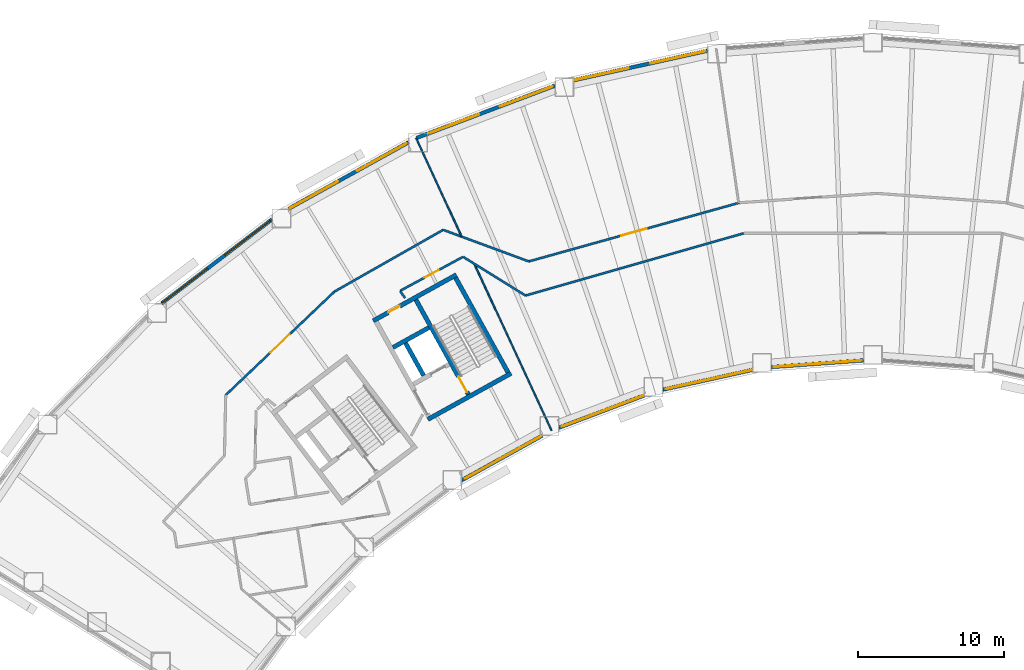
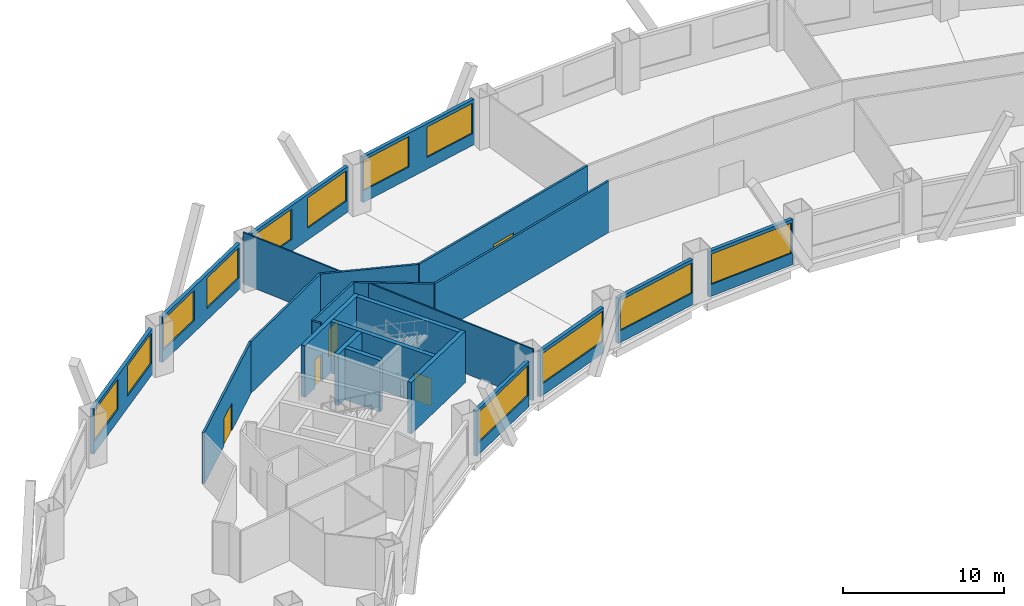
# One storey, part 4 of 11: 24 walls, 12 windows, 5 doors, 17 openings.
"""IFC4 building model written with IfcOpenShell, lengths in metres."""

from ifc_helpers import new_model, si_unit, direction, frame, frame_2d, origin, place, context, subcontext, project, spatial, rectangle, extrude, material, layer, layer_set, type_object, element, fill, save


model = new_model("IFC4")

# Units and contexts
model_context = context("Model", 3, precision=1e-05, world=origin(), true_north=direction((0.0, 1.0)))
body_context = subcontext(model_context, "Body", "Model", "MODEL_VIEW")
ifc_project = project(units=[si_unit("LENGTHUNIT", "METRE"), si_unit("AREAUNIT", "SQUARE_METRE"), si_unit("VOLUMEUNIT", "CUBIC_METRE"), si_unit("PLANEANGLEUNIT", "RADIAN"), si_unit("MASSUNIT", "GRAM", prefix="KILO")], contexts=[model_context])

# Site, building, storey
site_placement = place(None, origin())
site = spatial("IfcSite", under=ifc_project, at=site_placement, CompositionType="ELEMENT")
building_placement = place(site_placement, origin())
building = spatial("IfcBuilding", under=site, at=building_placement, Name="Tuul Gate Civic Tower", CompositionType="ELEMENT")
storey_placement = place(building_placement, frame((0.0, 0.0, 48.300048828125)))
storey = spatial("IfcBuildingStorey", under=building, at=storey_placement, Name="Level 10", CompositionType="ELEMENT", Elevation=48.300048828125)

# Walls
ifc_material_1 = material(Name="Concrete C50/60", Category="concrete")
ifc_layer_1 = layer(ifc_material_1, 0.300048828125)
ifc_layer_set_1 = layer_set([ifc_layer_1], Name="Concrete C50/60")
wall_type_1 = type_object("IfcWallType", Name="Core wall C50/60", PredefinedType="SHEAR", material=ifc_layer_set_1)
wall_1_placement = place(storey_placement, frame((-24.711669921875, -8.7158203125, 0.0), z_axis=(0.0, 0.0, 1.0), x_axis=(-0.874629909008, -0.484791215132, 0.0)))
element("IfcWall", 1, at=wall_1_placement, inside=storey, type_object=wall_type_1, Name="Core wall", PredefinedType="SHEAR", context=body_context, shape_type="SweptSolid", body=[
    extrude(rectangle(XDim=6.5, YDim=0.300048828125, at=frame_2d((3.25, 0.0))), origin(), (0.0, 0.0, 1.0), 3.89990234375),
])
wall_2_placement = place(storey_placement, frame((-30.327392578125, -5.59716796875, 0.0), z_axis=(0.0, 0.0, 1.0), x_axis=(-0.874629840737, -0.484791338301, 0.0)))
element("IfcWall", 2, at=wall_2_placement, inside=storey, type_object=wall_type_1, Name="Core wall", PredefinedType="SHEAR", context=body_context, shape_type="SweptSolid", body=[
    extrude(rectangle(XDim=2.800048828125, YDim=0.300048828125, at=frame_2d((1.39990234375, 0.0))), origin(), (0.0, 0.0, 1.0), 3.89990234375),
])

# Wall, opening, door
wall_3_placement = place(storey_placement, frame((-28.4443359375, -1.98095703125, 0.0), z_axis=(0.0, 0.0, 1.0), x_axis=(-0.874629909008, -0.484791215132, 0.0)))
wall_3 = element("IfcWall", 3, at=wall_3_placement, inside=storey, type_object=wall_type_1, Name="Core wall", PredefinedType="SHEAR", context=body_context, shape_type="SweptSolid", body=[
    extrude(rectangle(XDim=6.5, YDim=0.300048828125, at=frame_2d((3.25, 0.0))), origin(), (0.0, 0.0, 1.0), 3.89990234375),
])
opening_1_placement = place(wall_3_placement, frame((4.425048828125, 0.0, 0.0)))
opening_1 = element("IfcOpeningElement", 4, at=opening_1_placement, cuts=wall_3, Name="Opening B-D18", PredefinedType="OPENING", context=body_context, shape_type="SweptSolid", body=[
    extrude(rectangle(XDim=0.89990234375, YDim=2.10009765625, at=frame_2d((0.449951171875, 1.050048828125))), frame((0.0, 0.16015625, 0.0), z_axis=(0.0, -1.0, 0.0), x_axis=(1.0, 0.0, 0.0)), (0.0, 0.0, 1.0), 0.320068359375),
])
ifc_material_2 = material(Name="Timber door leaf", Category="wood")
door_type_1 = type_object("IfcDoorType", Name="Door D09", OperationType="NOTDEFINED", PredefinedType="DOOR", material=ifc_material_2)
door_1_placement = place(opening_1_placement, origin())
door_1 = element("IfcDoor", 5, at=door_1_placement, inside=storey, type_object=door_type_1, Name="Door B-D18", OperationType="SINGLE_SWING_LEFT", OverallHeight=2.10009765625, OverallWidth=0.89990234375, PredefinedType="DOOR", context=body_context, shape_type="SweptSolid", body=[
    extrude(rectangle(XDim=0.89990234375, YDim=2.10009765625, at=frame_2d((0.449951171875, 1.050048828125))), frame((0.0, 0.02490234375, 0.0), z_axis=(0.0, -1.0, 0.0), x_axis=(1.0, 0.0, 0.0)), (0.0, 0.0, 1.0), 0.050048828125),
])
fill(opening_1, door_1)

# Wall
wall_4_placement = place(storey_placement, frame((-24.91552734375, -8.6572265625, 0.0), z_axis=(0.0, 0.0, 1.0), x_axis=(-0.484777133038, 0.874637714304, 0.0)))
element("IfcWall", 6, at=wall_4_placement, inside=storey, type_object=wall_type_1, Name="Core wall", PredefinedType="SHEAR", context=body_context, shape_type="SweptSolid", body=[
    extrude(rectangle(XDim=7.400146484375, YDim=0.300048828125, at=frame_2d((3.7001953125, 0.0))), origin(), (0.0, 0.0, 1.0), 3.89990234375),
])

# Wall, opening, door
wall_5_placement = place(storey_placement, frame((-27.626953125, -10.16015625, 0.0), z_axis=(0.0, 0.0, 1.0), x_axis=(-0.484751894226, 0.874651702704, 0.0)))
wall_5 = element("IfcWall", 7, at=wall_5_placement, inside=storey, type_object=wall_type_1, Name="Core wall", PredefinedType="SHEAR", context=body_context, shape_type="SweptSolid", body=[
    extrude(rectangle(XDim=7.39990234375, YDim=0.300048828125, at=frame_2d((3.699951171875, 0.0))), origin(), (0.0, 0.0, 1.0), 3.89990234375),
])
opening_2_placement = place(wall_5_placement, frame((0.199951171875, 0.0, 0.0)))
opening_2 = element("IfcOpeningElement", 8, at=opening_2_placement, cuts=wall_5, Name="Opening SD-ST-2", PredefinedType="OPENING", context=body_context, shape_type="SweptSolid", body=[
    extrude(rectangle(XDim=1.199951171875, YDim=2.10009765625, at=frame_2d((0.60009765625, 1.050048828125))), frame((0.0, 0.16015625, 0.0), z_axis=(0.0, -1.0, 0.0), x_axis=(1.0, 0.0, 0.0)), (0.0, 0.0, 1.0), 0.320068359375),
])
ifc_material_3 = material(Name="Steel", Category="steel")
door_type_2 = type_object("IfcDoorType", Name="Stair door", OperationType="NOTDEFINED", PredefinedType="DOOR", material=ifc_material_3)
door_2_placement = place(opening_2_placement, origin())
door_2 = element("IfcDoor", 9, at=door_2_placement, inside=storey, type_object=door_type_2, Name="Stair door ST-2", OperationType="SINGLE_SWING_LEFT", OverallHeight=2.10009765625, OverallWidth=1.199951171875, PredefinedType="DOOR", context=body_context, shape_type="SweptSolid", body=[
    extrude(rectangle(XDim=1.199951171875, YDim=2.10009765625, at=frame_2d((0.60009765625, 1.050048828125))), frame((0.0, 0.02490234375, 0.0), z_axis=(0.0, -1.0, 0.0), x_axis=(1.0, 0.0, 0.0)), (0.0, 0.0, 1.0), 0.050048828125),
])
fill(opening_2, door_2)

# Wall
wall_6_placement = place(storey_placement, frame((-30.680419921875, -8.8798828125, 0.0), z_axis=(0.0, 0.0, 1.0), x_axis=(-0.484724115216, 0.874667097888, 0.0)))
element("IfcWall", 10, at=wall_6_placement, inside=storey, type_object=wall_type_1, Name="Core wall", PredefinedType="SHEAR", context=body_context, shape_type="SweptSolid", body=[
    extrude(rectangle(XDim=2.550048828125, YDim=0.300048828125, at=frame_2d((1.27490234375, 0.0))), origin(), (0.0, 0.0, 1.0), 3.89990234375),
])

# Wall, opening, door
ifc_material_4 = material(Name="Gypsum board partition")
ifc_layer_2 = layer(ifc_material_4, 0.14990234375)
ifc_layer_set_2 = layer_set([ifc_layer_2], Name="Gypsum board partition")
wall_type_2 = type_object("IfcWallType", Name="Corridor wall P150", PredefinedType="PARTITIONING", material=ifc_layer_set_2)
wall_7_placement = place(storey_placement, frame((-23.492431640625, -1.0703125, 0.0), z_axis=(0.0, 0.0, 1.0), x_axis=(0.963275368235, 0.268515483636, 0.0)))
wall_7 = element("IfcWall", 11, at=wall_7_placement, inside=storey, type_object=wall_type_2, Name="p028", PredefinedType="PARTITIONING", context=body_context, shape_type="SweptSolid", body=[
    extrude(rectangle(XDim=14.92138671875, YDim=0.14990234375, at=frame_2d((7.460693359375, 0.0))), origin(), (0.0, 0.0, 1.0), 3.89990234375),
])
opening_3_placement = place(wall_7_placement, frame((6.53759765625, 0.0, 0.0)))
opening_3 = element("IfcOpeningElement", 12, at=opening_3_placement, cuts=wall_7, Name="Opening B-D05", PredefinedType="OPENING", context=body_context, shape_type="SweptSolid", body=[
    extrude(rectangle(XDim=1.800048828125, YDim=2.10009765625, at=frame_2d((0.89990234375, 1.050048828125))), frame((0.0, 0.0849609375, 0.0), z_axis=(0.0, -1.0, 0.0), x_axis=(1.0, 0.0, 0.0)), (0.0, 0.0, 1.0), 0.169921875),
])
ifc_material_5 = material(Name="Timber door leaf, double", Category="wood")
door_type_3 = type_object("IfcDoorType", Name="Door D18", OperationType="DOUBLE_DOOR_SINGLE_SWING", PredefinedType="DOOR", material=ifc_material_5)
door_3_placement = place(opening_3_placement, origin())
door_3 = element("IfcDoor", 13, at=door_3_placement, inside=storey, type_object=door_type_3, Name="Door B-D05", OperationType="DOUBLE_DOOR_SINGLE_SWING", OverallHeight=2.10009765625, OverallWidth=1.800048828125, PredefinedType="DOOR", context=body_context, shape_type="SweptSolid", body=[
    extrude(rectangle(XDim=1.800048828125, YDim=2.10009765625, at=frame_2d((0.89990234375, 1.050048828125))), frame((0.0, 0.02490234375, 0.0), z_axis=(0.0, -1.0, 0.0), x_axis=(1.0, 0.0, 0.0)), (0.0, 0.0, 1.0), 0.050048828125),
])
fill(opening_3, door_3)

# Walls
wall_8_placement = place(storey_placement, frame((-29.3486328125, 1.084228515625, 0.0), z_axis=(0.0, 0.0, 1.0), x_axis=(0.938272147165, -0.345897929822, 0.0)))
element("IfcWall", 14, at=wall_8_placement, inside=storey, type_object=wall_type_2, Name="p031", PredefinedType="PARTITIONING", context=body_context, shape_type="SweptSolid", body=[
    extrude(rectangle(XDim=6.2275390625, YDim=0.14990234375, at=frame_2d((3.11376953125, 0.0))), origin(), (0.0, 0.0, 1.0), 3.89990234375),
])
wall_9_placement = place(storey_placement, frame((-36.777587890625, -3.133544921875, 0.0), z_axis=(0.0, 0.0, 1.0), x_axis=(0.869618597413, 0.493724108216, 0.0)))
element("IfcWall", 15, at=wall_9_placement, inside=storey, type_object=wall_type_2, Name="p036", PredefinedType="PARTITIONING", context=body_context, shape_type="SweptSolid", body=[
    extrude(rectangle(XDim=8.542724609375, YDim=0.14990234375, at=frame_2d((4.271484375, 0.0))), origin(), (0.0, 0.0, 1.0), 3.89990234375),
])

# Wall, opening, door
wall_10_placement = place(storey_placement, frame((-44.205810546875, -10.203857421875, 0.0), z_axis=(0.0, 0.0, 1.0), x_axis=(0.724341713939, 0.689441137043, 0.0)))
wall_10 = element("IfcWall", 16, at=wall_10_placement, inside=storey, type_object=wall_type_2, Name="p037", PredefinedType="PARTITIONING", context=body_context, shape_type="SweptSolid", body=[
    extrude(rectangle(XDim=10.255126953125, YDim=0.14990234375, at=frame_2d((5.12744140625, 0.0))), origin(), (0.0, 0.0, 1.0), 3.89990234375),
])
opening_4_placement = place(wall_10_placement, frame((4.2275390625, 0.0, 0.0)))
opening_4 = element("IfcOpeningElement", 17, at=opening_4_placement, cuts=wall_10, Name="Opening B-D06", PredefinedType="OPENING", context=body_context, shape_type="SweptSolid", body=[
    extrude(rectangle(XDim=1.800048828125, YDim=2.10009765625, at=frame_2d((0.89990234375, 1.050048828125))), frame((0.0, 0.0849609375, 0.0), z_axis=(0.0, -1.0, 0.0), x_axis=(1.0, 0.0, 0.0)), (0.0, 0.0, 1.0), 0.169921875),
])
door_4_placement = place(opening_4_placement, origin())
door_4 = element("IfcDoor", 18, at=door_4_placement, inside=storey, type_object=door_type_3, Name="Door B-D06", OperationType="DOUBLE_DOOR_SINGLE_SWING", OverallHeight=2.10009765625, OverallWidth=1.800048828125, PredefinedType="DOOR", context=body_context, shape_type="SweptSolid", body=[
    extrude(rectangle(XDim=1.800048828125, YDim=2.10009765625, at=frame_2d((0.89990234375, 1.050048828125))), frame((0.0, 0.02490234375, 0.0), z_axis=(0.0, -1.0, 0.0), x_axis=(1.0, 0.0, 0.0)), (0.0, 0.0, 1.0), 0.050048828125),
])
fill(opening_4, door_4)

# Walls
wall_11_placement = place(storey_placement, frame((-27.98046875, -0.762939453125, 0.0), z_axis=(0.0, 0.0, 1.0), x_axis=(0.849717007956, -0.527239041034, 0.0)))
element("IfcWall", 19, at=wall_11_placement, inside=storey, type_object=wall_type_2, Name="p045", PredefinedType="PARTITIONING", context=body_context, shape_type="SweptSolid", body=[
    extrude(rectangle(XDim=5.006591796875, YDim=0.14990234375, at=frame_2d((2.50341796875, 0.0))), origin(), (0.0, 0.0, 1.0), 3.89990234375),
])
wall_12_placement = place(storey_placement, frame((-23.72509765625, -3.40283203125, 0.0), z_axis=(0.0, 0.0, 1.0), x_axis=(0.961602366551, 0.274446513264, 0.0)))
element("IfcWall", 20, at=wall_12_placement, inside=storey, type_object=wall_type_2, Name="p046", PredefinedType="PARTITIONING", context=body_context, shape_type="SweptSolid", body=[
    extrude(rectangle(XDim=15.5, YDim=0.14990234375, at=frame_2d((7.75, 0.0))), origin(), (0.0, 0.0, 1.0), 3.89990234375),
])
wall_13_placement = place(storey_placement, frame((-32.288818359375, -3.107421875, 0.0), z_axis=(0.0, 0.0, 1.0), x_axis=(0.590436768377, -0.807083900563, 0.0)))
element("IfcWall", 21, at=wall_13_placement, inside=storey, type_object=wall_type_2, Name="p050", PredefinedType="PARTITIONING", context=body_context, shape_type="SweptSolid", body=[
    extrude(rectangle(XDim=0.58251953125, YDim=0.14990234375, at=frame_2d((0.291259765625, 0.0))), origin(), (0.0, 0.0, 1.0), 3.89990234375),
])

# Wall, opening, door
wall_14_placement = place(storey_placement, frame((-32.281982421875, -3.077392578125, 0.0), z_axis=(0.0, 0.0, 1.0), x_axis=(0.879607802106, 0.475699605291, 0.0)))
wall_14 = element("IfcWall", 22, at=wall_14_placement, inside=storey, type_object=wall_type_2, Name="p051", PredefinedType="PARTITIONING", context=body_context, shape_type="SweptSolid", body=[
    extrude(rectangle(XDim=4.866455078125, YDim=0.14990234375, at=frame_2d((2.43310546875, 0.0))), origin(), (0.0, 0.0, 1.0), 3.89990234375),
])
opening_5_placement = place(wall_14_placement, frame((1.88330078125, 0.0, 0.0)))
opening_5 = element("IfcOpeningElement", 23, at=opening_5_placement, cuts=wall_14, Name="Opening B-D10", PredefinedType="OPENING", context=body_context, shape_type="SweptSolid", body=[
    extrude(rectangle(XDim=1.10009765625, YDim=2.10009765625, at=frame_2d((0.550048828125, 1.050048828125))), frame((0.0, 0.0849609375, 0.0), z_axis=(0.0, -1.0, 0.0), x_axis=(1.0, 0.0, 0.0)), (0.0, 0.0, 1.0), 0.169921875),
])
ifc_material_6 = material(Name="Timber door leaf", Category="wood")
door_type_4 = type_object("IfcDoorType", Name="Door D11", OperationType="NOTDEFINED", PredefinedType="DOOR", material=ifc_material_6)
door_5_placement = place(opening_5_placement, origin())
door_5 = element("IfcDoor", 24, at=door_5_placement, inside=storey, type_object=door_type_4, Name="Door B-D10", OperationType="SINGLE_SWING_RIGHT", OverallHeight=2.10009765625, OverallWidth=1.10009765625, PredefinedType="DOOR", context=body_context, shape_type="SweptSolid", body=[
    extrude(rectangle(XDim=1.10009765625, YDim=2.10009765625, at=frame_2d((0.550048828125, 1.050048828125))), frame((0.0, 0.02490234375, 0.0), z_axis=(0.0, -1.0, 0.0), x_axis=(1.0, 0.0, 0.0)), (0.0, 0.0, 1.0), 0.050048828125),
])
fill(opening_5, door_5)

# Wall, openings, windows
ifc_material_7 = material(Name="Precast concrete C40/50", Category="concrete")
ifc_layer_3 = layer(ifc_material_7, 0.25)
ifc_layer_set_3 = layer_set([ifc_layer_3], Name="Precast concrete C40/50")
wall_type_3 = type_object("IfcWallType", Name="External wall", PredefinedType="STANDARD", material=ifc_layer_set_3)
wall_15_placement = place(storey_placement, frame((-11.299072265625, 13.317138671875, 0.0), z_axis=(0.0, 0.0, 1.0), x_axis=(-0.97654219172, -0.215326142841, 0.0)))
wall_15 = element("IfcWall", 25, at=wall_15_placement, inside=storey, type_object=wall_type_3, Name="External wall", PredefinedType="STANDARD", context=body_context, shape_type="SweptSolid", body=[
    extrude(rectangle(XDim=9.34716796875, YDim=0.25, at=frame_2d((4.673583984375, 0.0))), origin(), (0.0, 0.0, 1.0), 3.449951171875),
])
opening_6_placement = place(wall_15_placement, frame((0.134033203125, 0.0, 0.89990234375)))
opening_6 = element("IfcOpeningElement", 26, at=opening_6_placement, cuts=wall_15, Name="Opening W22", PredefinedType="OPENING", context=body_context, shape_type="SweptSolid", body=[
    extrude(rectangle(XDim=3.85009765625, YDim=2.300048828125, at=frame_2d((1.925048828125, 1.14990234375))), frame((0.0, 0.135009765625, 0.0), z_axis=(0.0, -1.0, 0.0), x_axis=(1.0, 0.0, 0.0)), (0.0, 0.0, 1.0), 0.27001953125),
])
opening_7_placement = place(wall_15_placement, frame((5.5029296875, 0.0, 0.89990234375)))
opening_7 = element("IfcOpeningElement", 27, at=opening_7_placement, cuts=wall_15, Name="Opening W100", PredefinedType="OPENING", context=body_context, shape_type="SweptSolid", body=[
    extrude(rectangle(XDim=3.800048828125, YDim=2.300048828125, at=frame_2d((1.89990234375, 1.14990234375))), frame((0.0, 0.135009765625, 0.0), z_axis=(0.0, -1.0, 0.0), x_axis=(1.0, 0.0, 0.0)), (0.0, 0.0, 1.0), 0.27001953125),
])
ifc_material_8 = material(Name="Glass", Category="glass")
window_type_1 = type_object("IfcWindowType", Name="Window W100 3800 x 2300", PartitioningType="SINGLE_PANEL", PredefinedType="WINDOW", material=ifc_material_8)
window_1_placement = place(opening_7_placement, origin())
window_1 = element("IfcWindow", 28, at=window_1_placement, inside=storey, type_object=window_type_1, Name="Window", OverallHeight=2.300048828125, OverallWidth=3.800048828125, PartitioningType="SINGLE_PANEL", PredefinedType="WINDOW", context=body_context, shape_type="SweptSolid", body=[
    extrude(rectangle(XDim=3.800048828125, YDim=2.300048828125, at=frame_2d((1.89990234375, 1.14990234375))), frame((0.0, 0.030029296875, 0.0), z_axis=(0.0, -1.0, 0.0), x_axis=(1.0, 0.0, 0.0)), (0.0, 0.0, 1.0), 0.06005859375),
])
fill(opening_7, window_1)
ifc_material_9 = material(Name="Glass", Category="glass")
window_type_2 = type_object("IfcWindowType", Name="Window W22 3850 x 2300", PartitioningType="SINGLE_PANEL", PredefinedType="WINDOW", material=ifc_material_9)
window_2_placement = place(opening_6_placement, origin())
window_2 = element("IfcWindow", 29, at=window_2_placement, inside=storey, type_object=window_type_2, Name="Window", OverallHeight=2.300048828125, OverallWidth=3.85009765625, PartitioningType="SINGLE_PANEL", PredefinedType="WINDOW", context=body_context, shape_type="SweptSolid", body=[
    extrude(rectangle(XDim=3.85009765625, YDim=2.300048828125, at=frame_2d((1.925048828125, 1.14990234375))), frame((0.0, 0.030029296875, 0.0), z_axis=(0.0, -1.0, 0.0), x_axis=(1.0, 0.0, 0.0)), (0.0, 0.0, 1.0), 0.06005859375),
])
fill(opening_6, window_2)

wall_16_placement = place(storey_placement, frame((-21.72705078125, 10.929931640625, 0.0), z_axis=(0.0, 0.0, 1.0), x_axis=(-0.935382009338, -0.353638935365, 0.0)))
wall_16 = element("IfcWall", 30, at=wall_16_placement, inside=storey, type_object=wall_type_3, Name="External wall", PredefinedType="STANDARD", context=body_context, shape_type="SweptSolid", body=[
    extrude(rectangle(XDim=10.077880859375, YDim=0.25, at=frame_2d((5.0390625, 0.0))), origin(), (0.0, 0.0, 1.0), 3.449951171875),
])
opening_8_placement = place(wall_16_placement, frame((0.1552734375, 0.0, 0.89990234375)))
opening_8 = element("IfcOpeningElement", 31, at=opening_8_placement, cuts=wall_16, Name="Opening W22", PredefinedType="OPENING", context=body_context, shape_type="SweptSolid", body=[
    extrude(rectangle(XDim=3.85009765625, YDim=2.300048828125, at=frame_2d((1.925048828125, 1.14990234375))), frame((0.0, 0.135009765625, 0.0), z_axis=(0.0, -1.0, 0.0), x_axis=(1.0, 0.0, 0.0)), (0.0, 0.0, 1.0), 0.27001953125),
])
opening_9_placement = place(wall_16_placement, frame((5.535888671875, 0.0, 0.89990234375)))
opening_9 = element("IfcOpeningElement", 32, at=opening_9_placement, cuts=wall_16, Name="Opening W21", PredefinedType="OPENING", context=body_context, shape_type="SweptSolid", body=[
    extrude(rectangle(XDim=3.699951171875, YDim=2.300048828125, at=frame_2d((1.85009765625, 1.14990234375))), frame((0.0, 0.135009765625, 0.0), z_axis=(0.0, -1.0, 0.0), x_axis=(1.0, 0.0, 0.0)), (0.0, 0.0, 1.0), 0.27001953125),
])
ifc_material_10 = material(Name="Glass", Category="glass")
window_type_3 = type_object("IfcWindowType", Name="Window W21 3700 x 2300", PartitioningType="SINGLE_PANEL", PredefinedType="WINDOW", material=ifc_material_10)
window_3_placement = place(opening_9_placement, origin())
window_3 = element("IfcWindow", 33, at=window_3_placement, inside=storey, type_object=window_type_3, Name="Window", OverallHeight=2.300048828125, OverallWidth=3.699951171875, PartitioningType="SINGLE_PANEL", PredefinedType="WINDOW", context=body_context, shape_type="SweptSolid", body=[
    extrude(rectangle(XDim=3.699951171875, YDim=2.300048828125, at=frame_2d((1.85009765625, 1.14990234375))), frame((0.0, 0.030029296875, 0.0), z_axis=(0.0, -1.0, 0.0), x_axis=(1.0, 0.0, 0.0)), (0.0, 0.0, 1.0), 0.06005859375),
])
fill(opening_9, window_3)
window_4_placement = place(opening_8_placement, origin())
window_4 = element("IfcWindow", 34, at=window_4_placement, inside=storey, type_object=window_type_2, Name="Window", OverallHeight=2.300048828125, OverallWidth=3.85009765625, PartitioningType="SINGLE_PANEL", PredefinedType="WINDOW", context=body_context, shape_type="SweptSolid", body=[
    extrude(rectangle(XDim=3.85009765625, YDim=2.300048828125, at=frame_2d((1.925048828125, 1.14990234375))), frame((0.0, 0.030029296875, 0.0), z_axis=(0.0, -1.0, 0.0), x_axis=(1.0, 0.0, 0.0)), (0.0, 0.0, 1.0), 0.06005859375),
])
fill(opening_8, window_4)

wall_17_placement = place(storey_placement, frame((-31.714111328125, 7.0634765625, 0.0), z_axis=(0.0, 0.0, 1.0), x_axis=(-0.87462564428, -0.484798909206, 0.0)))
wall_17 = element("IfcWall", 35, at=wall_17_placement, inside=storey, type_object=wall_type_3, Name="External wall", PredefinedType="STANDARD", context=body_context, shape_type="SweptSolid", body=[
    extrude(rectangle(XDim=9.35986328125, YDim=0.25, at=frame_2d((4.679931640625, 0.0))), origin(), (0.0, 0.0, 1.0), 3.449951171875),
])
opening_10_placement = place(wall_17_placement, frame((0.164306640625, 0.0, 0.89990234375)))
opening_10 = element("IfcOpeningElement", 36, at=opening_10_placement, cuts=wall_17, Name="Opening W22", PredefinedType="OPENING", context=body_context, shape_type="SweptSolid", body=[
    extrude(rectangle(XDim=3.85009765625, YDim=2.300048828125, at=frame_2d((1.925048828125, 1.14990234375))), frame((0.0, 0.135009765625, 0.0), z_axis=(0.0, -1.0, 0.0), x_axis=(1.0, 0.0, 0.0)), (0.0, 0.0, 1.0), 0.27001953125),
])
opening_11_placement = place(wall_17_placement, frame((5.51708984375, 0.0, 0.89990234375)))
opening_11 = element("IfcOpeningElement", 37, at=opening_11_placement, cuts=wall_17, Name="Opening W99", PredefinedType="OPENING", context=body_context, shape_type="SweptSolid", body=[
    extrude(rectangle(XDim=3.75, YDim=2.300048828125, at=frame_2d((1.875, 1.14990234375))), frame((0.0, 0.135009765625, 0.0), z_axis=(0.0, -1.0, 0.0), x_axis=(1.0, 0.0, 0.0)), (0.0, 0.0, 1.0), 0.27001953125),
])
window_5_placement = place(opening_10_placement, origin())
window_5 = element("IfcWindow", 38, at=window_5_placement, inside=storey, type_object=window_type_2, Name="Window", OverallHeight=2.300048828125, OverallWidth=3.85009765625, PartitioningType="SINGLE_PANEL", PredefinedType="WINDOW", context=body_context, shape_type="SweptSolid", body=[
    extrude(rectangle(XDim=3.85009765625, YDim=2.300048828125, at=frame_2d((1.925048828125, 1.14990234375))), frame((0.0, 0.030029296875, 0.0), z_axis=(0.0, -1.0, 0.0), x_axis=(1.0, 0.0, 0.0)), (0.0, 0.0, 1.0), 0.06005859375),
])
fill(opening_10, window_5)
ifc_material_11 = material(Name="Glass", Category="glass")
window_type_4 = type_object("IfcWindowType", Name="Window W99 3750 x 2300", PartitioningType="SINGLE_PANEL", PredefinedType="WINDOW", material=ifc_material_11)
window_6_placement = place(opening_11_placement, origin())
window_6 = element("IfcWindow", 39, at=window_6_placement, inside=storey, type_object=window_type_4, Name="Window", OverallHeight=2.300048828125, OverallWidth=3.75, PartitioningType="SINGLE_PANEL", PredefinedType="WINDOW", context=body_context, shape_type="SweptSolid", body=[
    extrude(rectangle(XDim=3.75, YDim=2.300048828125, at=frame_2d((1.875, 1.14990234375))), frame((0.0, 0.030029296875, 0.0), z_axis=(0.0, -1.0, 0.0), x_axis=(1.0, 0.0, 0.0)), (0.0, 0.0, 1.0), 0.06005859375),
])
fill(opening_11, window_6)

wall_18_placement = place(storey_placement, frame((-41.052001953125, 1.7900390625, 0.0), z_axis=(0.0, 0.0, 1.0), x_axis=(-0.795612935537, -0.605805296119, 0.0)))
wall_18 = element("IfcWall", 40, at=wall_18_placement, inside=storey, type_object=wall_type_3, Name="External wall", PredefinedType="STANDARD", context=body_context, shape_type="SweptSolid", body=[
    extrude(rectangle(XDim=9.461669921875, YDim=0.25, at=frame_2d((4.73095703125, 0.0))), origin(), (0.0, 0.0, 1.0), 3.449951171875),
])
opening_12_placement = place(wall_18_placement, frame((0.158935546875, 0.0, 0.89990234375)))
opening_12 = element("IfcOpeningElement", 41, at=opening_12_placement, cuts=wall_18, Name="Opening W22", PredefinedType="OPENING", context=body_context, shape_type="SweptSolid", body=[
    extrude(rectangle(XDim=3.85009765625, YDim=2.300048828125, at=frame_2d((1.925048828125, 1.14990234375))), frame((0.0, 0.135009765625, 0.0), z_axis=(0.0, -1.0, 0.0), x_axis=(1.0, 0.0, 0.0)), (0.0, 0.0, 1.0), 0.27001953125),
])
opening_13_placement = place(wall_18_placement, frame((5.5302734375, 0.0, 0.89990234375)))
opening_13 = element("IfcOpeningElement", 42, at=opening_13_placement, cuts=wall_18, Name="Opening W22", PredefinedType="OPENING", context=body_context, shape_type="SweptSolid", body=[
    extrude(rectangle(XDim=3.85009765625, YDim=2.300048828125, at=frame_2d((1.925048828125, 1.14990234375))), frame((0.0, 0.135009765625, 0.0), z_axis=(0.0, -1.0, 0.0), x_axis=(1.0, 0.0, 0.0)), (0.0, 0.0, 1.0), 0.27001953125),
])
window_7_placement = place(opening_12_placement, origin())
window_7 = element("IfcWindow", 43, at=window_7_placement, inside=storey, type_object=window_type_2, Name="Window", OverallHeight=2.300048828125, OverallWidth=3.85009765625, PartitioningType="SINGLE_PANEL", PredefinedType="WINDOW", context=body_context, shape_type="SweptSolid", body=[
    extrude(rectangle(XDim=3.85009765625, YDim=2.300048828125, at=frame_2d((1.925048828125, 1.14990234375))), frame((0.0, 0.030029296875, 0.0), z_axis=(0.0, -1.0, 0.0), x_axis=(1.0, 0.0, 0.0)), (0.0, 0.0, 1.0), 0.06005859375),
])
fill(opening_12, window_7)
window_8_placement = place(opening_13_placement, origin())
window_8 = element("IfcWindow", 44, at=window_8_placement, inside=storey, type_object=window_type_2, Name="Window", OverallHeight=2.300048828125, OverallWidth=3.85009765625, PartitioningType="SINGLE_PANEL", PredefinedType="WINDOW", context=body_context, shape_type="SweptSolid", body=[
    extrude(rectangle(XDim=3.85009765625, YDim=2.300048828125, at=frame_2d((1.925048828125, 1.14990234375))), frame((0.0, 0.030029296875, 0.0), z_axis=(0.0, -1.0, 0.0), x_axis=(1.0, 0.0, 0.0)), (0.0, 0.0, 1.0), 0.06005859375),
])
fill(opening_13, window_8)

# Wall, opening, window
wall_19_placement = place(storey_placement, frame((-28.076904296875, -16.0166015625, 0.0), z_axis=(0.0, 0.0, 1.0), x_axis=(0.874630436192, 0.484790264018, 0.0)))
wall_19 = element("IfcWall", 45, at=wall_19_placement, inside=storey, type_object=wall_type_3, Name="External wall", PredefinedType="STANDARD", context=body_context, shape_type="SweptSolid", body=[
    extrude(rectangle(XDim=6.27392578125, YDim=0.25, at=frame_2d((3.136962890625, 0.0))), origin(), (0.0, 0.0, 1.0), 3.449951171875),
])
opening_14_placement = place(wall_19_placement, frame((0.237060546875, 0.0, 0.89990234375)))
opening_14 = element("IfcOpeningElement", 46, at=opening_14_placement, cuts=wall_19, Name="Opening W101", PredefinedType="OPENING", context=body_context, shape_type="SweptSolid", body=[
    extrude(rectangle(XDim=5.949951171875, YDim=2.300048828125, at=frame_2d((2.97509765625, 1.14990234375))), frame((0.0, 0.135009765625, 0.0), z_axis=(0.0, -1.0, 0.0), x_axis=(1.0, 0.0, 0.0)), (0.0, 0.0, 1.0), 0.27001953125),
])
ifc_material_12 = material(Name="Glass", Category="glass")
window_type_5 = type_object("IfcWindowType", Name="Window W101 5950 x 2300", PartitioningType="SINGLE_PANEL", PredefinedType="WINDOW", material=ifc_material_12)
window_9_placement = place(opening_14_placement, origin())
window_9 = element("IfcWindow", 47, at=window_9_placement, inside=storey, type_object=window_type_5, Name="Window", OverallHeight=2.300048828125, OverallWidth=5.949951171875, PartitioningType="SINGLE_PANEL", PredefinedType="WINDOW", context=body_context, shape_type="SweptSolid", body=[
    extrude(rectangle(XDim=5.949951171875, YDim=2.300048828125, at=frame_2d((2.97509765625, 1.14990234375))), frame((0.0, 0.030029296875, 0.0), z_axis=(0.0, -1.0, 0.0), x_axis=(1.0, 0.0, 0.0)), (0.0, 0.0, 1.0), 0.06005859375),
])
fill(opening_14, window_9)

wall_20_placement = place(storey_placement, frame((-21.43701171875, -12.426513671875, 0.0), z_axis=(0.0, 0.0, 1.0), x_axis=(0.935359836581, 0.353697577193, 0.0)))
wall_20 = element("IfcWall", 48, at=wall_20_placement, inside=storey, type_object=wall_type_3, Name="External wall", PredefinedType="STANDARD", context=body_context, shape_type="SweptSolid", body=[
    extrude(rectangle(XDim=6.201904296875, YDim=0.25, at=frame_2d((3.10107421875, 0.0))), origin(), (0.0, 0.0, 1.0), 3.449951171875),
])
opening_15_placement = place(wall_20_placement, frame((0.2060546875, 0.0, 0.89990234375)))
opening_15 = element("IfcOpeningElement", 49, at=opening_15_placement, cuts=wall_20, Name="Opening W101", PredefinedType="OPENING", context=body_context, shape_type="SweptSolid", body=[
    extrude(rectangle(XDim=5.949951171875, YDim=2.300048828125, at=frame_2d((2.97509765625, 1.14990234375))), frame((0.0, 0.135009765625, 0.0), z_axis=(0.0, -1.0, 0.0), x_axis=(1.0, 0.0, 0.0)), (0.0, 0.0, 1.0), 0.27001953125),
])
window_10_placement = place(opening_15_placement, origin())
window_10 = element("IfcWindow", 50, at=window_10_placement, inside=storey, type_object=window_type_5, Name="Window", OverallHeight=2.300048828125, OverallWidth=5.949951171875, PartitioningType="SINGLE_PANEL", PredefinedType="WINDOW", context=body_context, shape_type="SweptSolid", body=[
    extrude(rectangle(XDim=5.949951171875, YDim=2.300048828125, at=frame_2d((2.97509765625, 1.14990234375))), frame((0.0, 0.030029296875, 0.0), z_axis=(0.0, -1.0, 0.0), x_axis=(1.0, 0.0, 0.0)), (0.0, 0.0, 1.0), 0.06005859375),
])
fill(opening_15, window_10)

wall_21_placement = place(storey_placement, frame((-14.3359375, -9.8291015625, 0.0), z_axis=(0.0, 0.0, 1.0), x_axis=(0.97656633669, 0.215216611915, 0.0)))
wall_21 = element("IfcWall", 51, at=wall_21_placement, inside=storey, type_object=wall_type_3, Name="External wall", PredefinedType="STANDARD", context=body_context, shape_type="SweptSolid", body=[
    extrude(rectangle(XDim=6.2607421875, YDim=0.25, at=frame_2d((3.13037109375, 0.0))), origin(), (0.0, 0.0, 1.0), 3.449951171875),
])
opening_16_placement = place(wall_21_placement, frame((0.2021484375, 0.0, 0.89990234375)))
opening_16 = element("IfcOpeningElement", 52, at=opening_16_placement, cuts=wall_21, Name="Opening W26", PredefinedType="OPENING", context=body_context, shape_type="SweptSolid", body=[
    extrude(rectangle(XDim=6.0, YDim=2.300048828125, at=frame_2d((3.0, 1.14990234375))), frame((0.0, 0.135009765625, 0.0), z_axis=(0.0, -1.0, 0.0), x_axis=(1.0, 0.0, 0.0)), (0.0, 0.0, 1.0), 0.27001953125),
])
ifc_material_13 = material(Name="Glass", Category="glass")
window_type_6 = type_object("IfcWindowType", Name="Window W26 6000 x 2300", PartitioningType="SINGLE_PANEL", PredefinedType="WINDOW", material=ifc_material_13)
window_11_placement = place(opening_16_placement, origin())
window_11 = element("IfcWindow", 53, at=window_11_placement, inside=storey, type_object=window_type_6, Name="Window", OverallHeight=2.300048828125, OverallWidth=6.0, PartitioningType="SINGLE_PANEL", PredefinedType="WINDOW", context=body_context, shape_type="SweptSolid", body=[
    extrude(rectangle(XDim=6.0, YDim=2.300048828125, at=frame_2d((3.0, 1.14990234375))), frame((0.0, 0.030029296875, 0.0), z_axis=(0.0, -1.0, 0.0), x_axis=(1.0, 0.0, 0.0)), (0.0, 0.0, 1.0), 0.06005859375),
])
fill(opening_16, window_11)

wall_22_placement = place(storey_placement, frame((-6.922119140625, -8.284423828125, 0.0), z_axis=(0.0, 0.0, 1.0), x_axis=(0.997395047269, 0.072132653374, 0.0)))
wall_22 = element("IfcWall", 54, at=wall_22_placement, inside=storey, type_object=wall_type_3, Name="External wall", PredefinedType="STANDARD", context=body_context, shape_type="SweptSolid", body=[
    extrude(rectangle(XDim=6.28857421875, YDim=0.25, at=frame_2d((3.144287109375, 0.0))), origin(), (0.0, 0.0, 1.0), 3.449951171875),
])
opening_17_placement = place(wall_22_placement, frame((0.167724609375, 0.0, 0.89990234375)))
opening_17 = element("IfcOpeningElement", 55, at=opening_17_placement, cuts=wall_22, Name="Opening W26", PredefinedType="OPENING", context=body_context, shape_type="SweptSolid", body=[
    extrude(rectangle(XDim=6.0, YDim=2.300048828125, at=frame_2d((3.0, 1.14990234375))), frame((0.0, 0.135009765625, 0.0), z_axis=(0.0, -1.0, 0.0), x_axis=(1.0, 0.0, 0.0)), (0.0, 0.0, 1.0), 0.27001953125),
])
window_12_placement = place(opening_17_placement, origin())
window_12 = element("IfcWindow", 56, at=window_12_placement, inside=storey, type_object=window_type_6, Name="Window", OverallHeight=2.300048828125, OverallWidth=6.0, PartitioningType="SINGLE_PANEL", PredefinedType="WINDOW", context=body_context, shape_type="SweptSolid", body=[
    extrude(rectangle(XDim=6.0, YDim=2.300048828125, at=frame_2d((3.0, 1.14990234375))), frame((0.0, 0.030029296875, 0.0), z_axis=(0.0, -1.0, 0.0), x_axis=(1.0, 0.0, 0.0)), (0.0, 0.0, 1.0), 0.06005859375),
])
fill(opening_17, window_12)

# Walls
ifc_material_14 = material(Name="Gypsum board partition")
ifc_layer_4 = layer(ifc_material_14, 0.10009765625)
ifc_layer_set_4 = layer_set([ifc_layer_4], Name="Gypsum board partition")
wall_type_4 = type_object("IfcWallType", Name="Partition P100", PredefinedType="PARTITIONING", material=ifc_layer_set_4)
wall_23_placement = place(storey_placement, frame((-31.202880859375, 7.3525390625, 0.0), z_axis=(0.0, 0.0, 1.0), x_axis=(0.420359305998, -0.907357732023, 0.0)))
element("IfcWall", 57, at=wall_23_placement, inside=storey, type_object=wall_type_4, Name="p029", PredefinedType="PARTITIONING", context=body_context, shape_type="SweptSolid", body=[
    extrude(rectangle(XDim=7.422607421875, YDim=0.10009765625, at=frame_2d((3.71142578125, 0.0))), origin(), (0.0, 0.0, 1.0), 3.89990234375),
])
wall_24_placement = place(storey_placement, frame((-27.226318359375, -1.23095703125, 0.0), z_axis=(0.0, 0.0, 1.0), x_axis=(0.420356002092, -0.907359262644, 0.0)))
element("IfcWall", 58, at=wall_24_placement, inside=storey, type_object=wall_type_4, Name="p030", PredefinedType="PARTITIONING", context=body_context, shape_type="SweptSolid", body=[
    extrude(rectangle(XDim=12.557373046875, YDim=0.10009765625, at=frame_2d((6.27880859375, 0.0))), origin(), (0.0, 0.0, 1.0), 3.89990234375),
])

save(model, "model.ifc")
